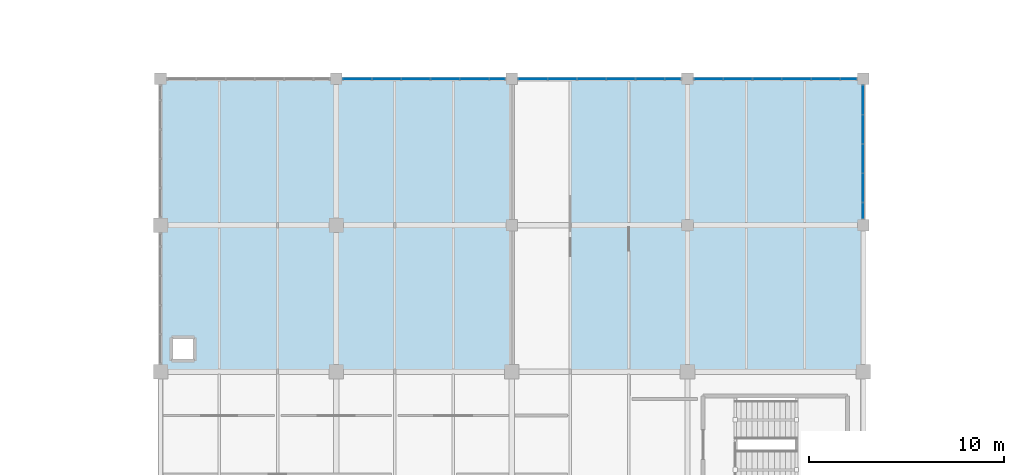
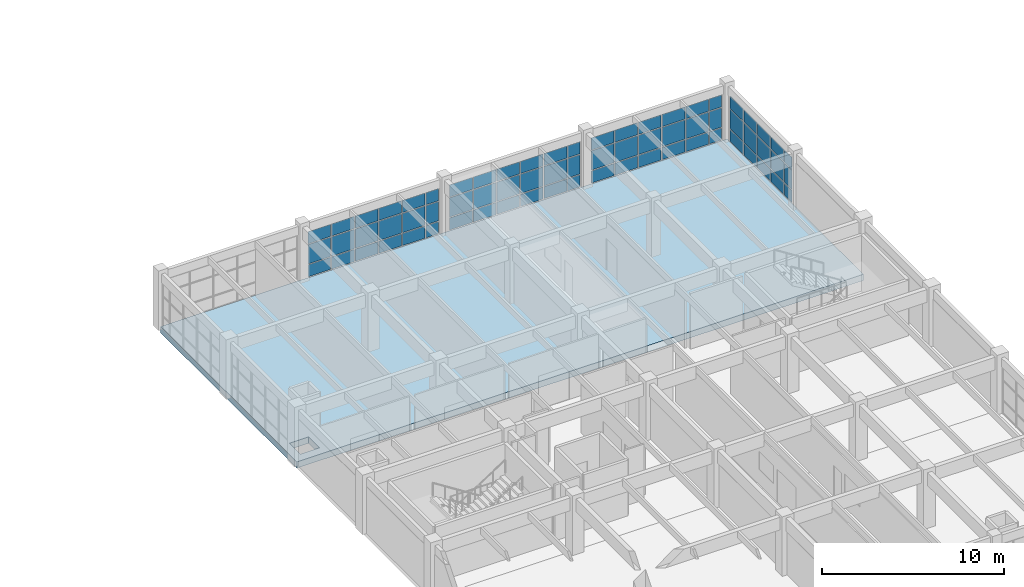
# One storey, part 56 of 76: 69 plates, 1 slab, 4 elements without a shape of their own.
"""IFC4 building model written with IfcOpenShell, lengths in metres."""

from ifc_helpers import new_model, si_unit, direction, frame, origin, origin_2d, place, context, subcontext, project, spatial, polyline, rectangle, outline, extrude, material, layer, layer_set, type_object, element, aggregate, save


model = new_model("IFC4")

# Units and contexts
model_context = context("Model", 3, precision=1e-05, world=origin(), true_north=direction((0.0, 1.0)))
body_context = subcontext(model_context, "Body", "Model", "MODEL_VIEW")
ifc_project = project(units=[si_unit("LENGTHUNIT", "METRE"), si_unit("AREAUNIT", "SQUARE_METRE"), si_unit("VOLUMEUNIT", "CUBIC_METRE"), si_unit("PLANEANGLEUNIT", "RADIAN"), si_unit("MASSUNIT", "GRAM", prefix="KILO")], contexts=[model_context])

# Site, building, storey
site_placement = place(None, origin())
site = spatial("IfcSite", under=ifc_project, at=site_placement, CompositionType="ELEMENT")
building_placement = place(site_placement, origin())
building = spatial("IfcBuilding", under=site, at=building_placement, Name="Marnridge Secondary College", CompositionType="ELEMENT")
storey_placement = place(building_placement, frame((0.0, 0.0, 4.5)))
storey = spatial("IfcBuildingStorey", under=building, at=storey_placement, Name="L01", CompositionType="ELEMENT", Elevation=4.5)

# Curtain wall, plates
ifc_material_1 = material(Name="Thermally broken aluminium and low-E glazing", Category="aluminium")
ifc_layer_1 = layer(ifc_material_1, 0.159912109375)
ifc_layer_set_1 = layer_set([ifc_layer_1], Name="CW-MOD-1500")
curtain_wall_type = type_object("IfcCurtainWallType", Name="CW-MOD-1500", PredefinedType="NOTDEFINED", material=ifc_layer_set_1)
curtain_wall_1_placement = place(storey_placement, origin())
curtain_wall_1 = element("IfcCurtainWall", 1, at=curtain_wall_1_placement, inside=storey, type_object=curtain_wall_type, Name="Unitised curtain wall CW-L01-029", PredefinedType="NOTDEFINED")
ifc_material_2 = material(Name="Double-glazed low-E argon unit", Category="glass")
ifc_layer_2 = layer(ifc_material_2, 0.028076171875)
ifc_layer_set_2 = layer_set([ifc_layer_2], Name="CWP-GLZ28")
plate_type = type_object("IfcPlateType", Name="CWP-GLZ28", PredefinedType="CURTAIN_PANEL", material=ifc_layer_set_2)
plate_1_placement = place(storey_placement, frame((64.083984375, 82.5, 0.06005859375), z_axis=(0.0, 0.0, 1.0), x_axis=(1.0, 0.0, 0.0)))
plate_1 = element("IfcPlate", 2, at=plate_1_placement, type_object=plate_type, Name="CW-L01-029 panel 1.1", PredefinedType="CURTAIN_PANEL", context=body_context, shape_type="SweptSolid", body=[
    extrude(rectangle(XDim=1.43994140625, YDim=0.028076171875, at=origin_2d()), origin(), (0.0, 0.0, 1.0), 0.81005859375),
])
plate_2_placement = place(storey_placement, frame((64.083984375, 82.5, 0.929931640625), z_axis=(0.0, 0.0, 1.0), x_axis=(1.0, 0.0, 0.0)))
plate_2 = element("IfcPlate", 3, at=plate_2_placement, type_object=plate_type, Name="CW-L01-029 panel 1.2", PredefinedType="CURTAIN_PANEL", context=body_context, shape_type="SweptSolid", body=[
    extrude(rectangle(XDim=1.43994140625, YDim=0.028076171875, at=origin_2d()), origin(), (0.0, 0.0, 1.0), 1.2900390625),
])
plate_3_placement = place(storey_placement, frame((64.083984375, 82.5, 2.2802734375), z_axis=(0.0, 0.0, 1.0), x_axis=(1.0, 0.0, 0.0)))
plate_3 = element("IfcPlate", 4, at=plate_3_placement, type_object=plate_type, Name="CW-L01-029 panel 1.3", PredefinedType="CURTAIN_PANEL", context=body_context, shape_type="SweptSolid", body=[
    extrude(rectangle(XDim=1.43994140625, YDim=0.028076171875, at=origin_2d()), origin(), (0.0, 0.0, 1.0), 0.806884765625),
])
plate_4_placement = place(storey_placement, frame((65.583984375, 82.5, 0.06005859375), z_axis=(0.0, 0.0, 1.0), x_axis=(1.0, 0.0, 0.0)))
plate_4 = element("IfcPlate", 5, at=plate_4_placement, type_object=plate_type, Name="CW-L01-029 panel 2.1", PredefinedType="CURTAIN_PANEL", context=body_context, shape_type="SweptSolid", body=[
    extrude(rectangle(XDim=1.43994140625, YDim=0.028076171875, at=origin_2d()), origin(), (0.0, 0.0, 1.0), 0.81005859375),
])
plate_5_placement = place(storey_placement, frame((65.583984375, 82.5, 0.929931640625), z_axis=(0.0, 0.0, 1.0), x_axis=(1.0, 0.0, 0.0)))
plate_5 = element("IfcPlate", 6, at=plate_5_placement, type_object=plate_type, Name="CW-L01-029 panel 2.2", PredefinedType="CURTAIN_PANEL", context=body_context, shape_type="SweptSolid", body=[
    extrude(rectangle(XDim=1.43994140625, YDim=0.028076171875, at=origin_2d()), origin(), (0.0, 0.0, 1.0), 1.2900390625),
])
plate_6_placement = place(storey_placement, frame((65.583984375, 82.5, 2.2802734375), z_axis=(0.0, 0.0, 1.0), x_axis=(1.0, 0.0, 0.0)))
plate_6 = element("IfcPlate", 7, at=plate_6_placement, type_object=plate_type, Name="CW-L01-029 panel 2.3", PredefinedType="CURTAIN_PANEL", context=body_context, shape_type="SweptSolid", body=[
    extrude(rectangle(XDim=1.43994140625, YDim=0.028076171875, at=origin_2d()), origin(), (0.0, 0.0, 1.0), 0.806884765625),
])
plate_7_placement = place(storey_placement, frame((67.083984375, 82.5, 0.06005859375), z_axis=(0.0, 0.0, 1.0), x_axis=(1.0, 0.0, 0.0)))
plate_7 = element("IfcPlate", 8, at=plate_7_placement, type_object=plate_type, Name="CW-L01-029 panel 3.1", PredefinedType="CURTAIN_PANEL", context=body_context, shape_type="SweptSolid", body=[
    extrude(rectangle(XDim=1.43994140625, YDim=0.028076171875, at=origin_2d()), origin(), (0.0, 0.0, 1.0), 0.81005859375),
])
plate_8_placement = place(storey_placement, frame((67.083984375, 82.5, 0.929931640625), z_axis=(0.0, 0.0, 1.0), x_axis=(1.0, 0.0, 0.0)))
plate_8 = element("IfcPlate", 9, at=plate_8_placement, type_object=plate_type, Name="CW-L01-029 panel 3.2", PredefinedType="CURTAIN_PANEL", context=body_context, shape_type="SweptSolid", body=[
    extrude(rectangle(XDim=1.43994140625, YDim=0.028076171875, at=origin_2d()), origin(), (0.0, 0.0, 1.0), 1.2900390625),
])
plate_9_placement = place(storey_placement, frame((67.083984375, 82.5, 2.2802734375), z_axis=(0.0, 0.0, 1.0), x_axis=(1.0, 0.0, 0.0)))
plate_9 = element("IfcPlate", 10, at=plate_9_placement, type_object=plate_type, Name="CW-L01-029 panel 3.3", PredefinedType="CURTAIN_PANEL", context=body_context, shape_type="SweptSolid", body=[
    extrude(rectangle(XDim=1.43994140625, YDim=0.028076171875, at=origin_2d()), origin(), (0.0, 0.0, 1.0), 0.806884765625),
])
plate_10_placement = place(storey_placement, frame((68.583984375, 82.5, 0.06005859375), z_axis=(0.0, 0.0, 1.0), x_axis=(1.0, 0.0, 0.0)))
plate_10 = element("IfcPlate", 11, at=plate_10_placement, type_object=plate_type, Name="CW-L01-029 panel 4.1", PredefinedType="CURTAIN_PANEL", context=body_context, shape_type="SweptSolid", body=[
    extrude(rectangle(XDim=1.43994140625, YDim=0.028076171875, at=origin_2d()), origin(), (0.0, 0.0, 1.0), 0.81005859375),
])
plate_11_placement = place(storey_placement, frame((68.583984375, 82.5, 0.929931640625), z_axis=(0.0, 0.0, 1.0), x_axis=(1.0, 0.0, 0.0)))
plate_11 = element("IfcPlate", 12, at=plate_11_placement, type_object=plate_type, Name="CW-L01-029 panel 4.2", PredefinedType="CURTAIN_PANEL", context=body_context, shape_type="SweptSolid", body=[
    extrude(rectangle(XDim=1.43994140625, YDim=0.028076171875, at=origin_2d()), origin(), (0.0, 0.0, 1.0), 1.2900390625),
])
plate_12_placement = place(storey_placement, frame((68.583984375, 82.5, 2.2802734375), z_axis=(0.0, 0.0, 1.0), x_axis=(1.0, 0.0, 0.0)))
plate_12 = element("IfcPlate", 13, at=plate_12_placement, type_object=plate_type, Name="CW-L01-029 panel 4.3", PredefinedType="CURTAIN_PANEL", context=body_context, shape_type="SweptSolid", body=[
    extrude(rectangle(XDim=1.43994140625, YDim=0.028076171875, at=origin_2d()), origin(), (0.0, 0.0, 1.0), 0.806884765625),
])
plate_13_placement = place(storey_placement, frame((70.083984375, 82.5, 0.06005859375), z_axis=(0.0, 0.0, 1.0), x_axis=(1.0, 0.0, 0.0)))
plate_13 = element("IfcPlate", 14, at=plate_13_placement, type_object=plate_type, Name="CW-L01-029 panel 5.1", PredefinedType="CURTAIN_PANEL", context=body_context, shape_type="SweptSolid", body=[
    extrude(rectangle(XDim=1.43994140625, YDim=0.028076171875, at=origin_2d()), origin(), (0.0, 0.0, 1.0), 0.81005859375),
])
plate_14_placement = place(storey_placement, frame((70.083984375, 82.5, 0.929931640625), z_axis=(0.0, 0.0, 1.0), x_axis=(1.0, 0.0, 0.0)))
plate_14 = element("IfcPlate", 15, at=plate_14_placement, type_object=plate_type, Name="CW-L01-029 panel 5.2", PredefinedType="CURTAIN_PANEL", context=body_context, shape_type="SweptSolid", body=[
    extrude(rectangle(XDim=1.43994140625, YDim=0.028076171875, at=origin_2d()), origin(), (0.0, 0.0, 1.0), 1.2900390625),
])
plate_15_placement = place(storey_placement, frame((70.083984375, 82.5, 2.2802734375), z_axis=(0.0, 0.0, 1.0), x_axis=(1.0, 0.0, 0.0)))
plate_15 = element("IfcPlate", 16, at=plate_15_placement, type_object=plate_type, Name="CW-L01-029 panel 5.3", PredefinedType="CURTAIN_PANEL", context=body_context, shape_type="SweptSolid", body=[
    extrude(rectangle(XDim=1.43994140625, YDim=0.028076171875, at=origin_2d()), origin(), (0.0, 0.0, 1.0), 0.806884765625),
])
plate_16_placement = place(storey_placement, frame((71.25, 82.5, 0.06005859375), z_axis=(0.0, 0.0, 1.0), x_axis=(1.0, 0.0, 0.0)))
plate_16 = element("IfcPlate", 17, at=plate_16_placement, type_object=plate_type, Name="CW-L01-029 panel 6.1", PredefinedType="CURTAIN_PANEL", context=body_context, shape_type="SweptSolid", body=[
    extrude(rectangle(XDim=0.77197265625, YDim=0.028076171875, at=origin_2d()), origin(), (0.0, 0.0, 1.0), 0.81005859375),
])
plate_17_placement = place(storey_placement, frame((71.25, 82.5, 0.929931640625), z_axis=(0.0, 0.0, 1.0), x_axis=(1.0, 0.0, 0.0)))
plate_17 = element("IfcPlate", 18, at=plate_17_placement, type_object=plate_type, Name="CW-L01-029 panel 6.2", PredefinedType="CURTAIN_PANEL", context=body_context, shape_type="SweptSolid", body=[
    extrude(rectangle(XDim=0.77197265625, YDim=0.028076171875, at=origin_2d()), origin(), (0.0, 0.0, 1.0), 1.2900390625),
])
plate_18_placement = place(storey_placement, frame((71.25, 82.5, 2.2802734375), z_axis=(0.0, 0.0, 1.0), x_axis=(1.0, 0.0, 0.0)))
plate_18 = element("IfcPlate", 19, at=plate_18_placement, type_object=plate_type, Name="CW-L01-029 panel 6.3", PredefinedType="CURTAIN_PANEL", context=body_context, shape_type="SweptSolid", body=[
    extrude(rectangle(XDim=0.77197265625, YDim=0.028076171875, at=origin_2d()), origin(), (0.0, 0.0, 1.0), 0.806884765625),
])
aggregate(curtain_wall_1, [plate_1, plate_2, plate_3, plate_4, plate_5, plate_6, plate_7, plate_8, plate_9, plate_10, plate_11, plate_12, plate_13, plate_14, plate_15, plate_16, plate_17, plate_18])

curtain_wall_2_placement = place(storey_placement, origin())
curtain_wall_2 = element("IfcCurtainWall", 20, at=curtain_wall_2_placement, inside=storey, type_object=curtain_wall_type, Name="Unitised curtain wall CW-L01-030", PredefinedType="NOTDEFINED")
plate_19_placement = place(storey_placement, frame((73.083984375, 82.5, 0.06005859375), z_axis=(0.0, 0.0, 1.0), x_axis=(1.0, 0.0, 0.0)))
plate_19 = element("IfcPlate", 21, at=plate_19_placement, type_object=plate_type, Name="CW-L01-030 panel 1.1", PredefinedType="CURTAIN_PANEL", context=body_context, shape_type="SweptSolid", body=[
    extrude(rectangle(XDim=1.43994140625, YDim=0.028076171875, at=origin_2d()), origin(), (0.0, 0.0, 1.0), 0.81005859375),
])
plate_20_placement = place(storey_placement, frame((73.083984375, 82.5, 0.929931640625), z_axis=(0.0, 0.0, 1.0), x_axis=(1.0, 0.0, 0.0)))
plate_20 = element("IfcPlate", 22, at=plate_20_placement, type_object=plate_type, Name="CW-L01-030 panel 1.2", PredefinedType="CURTAIN_PANEL", context=body_context, shape_type="SweptSolid", body=[
    extrude(rectangle(XDim=1.43994140625, YDim=0.028076171875, at=origin_2d()), origin(), (0.0, 0.0, 1.0), 1.2900390625),
])
plate_21_placement = place(storey_placement, frame((73.083984375, 82.5, 2.2802734375), z_axis=(0.0, 0.0, 1.0), x_axis=(1.0, 0.0, 0.0)))
plate_21 = element("IfcPlate", 23, at=plate_21_placement, type_object=plate_type, Name="CW-L01-030 panel 1.3", PredefinedType="CURTAIN_PANEL", context=body_context, shape_type="SweptSolid", body=[
    extrude(rectangle(XDim=1.43994140625, YDim=0.028076171875, at=origin_2d()), origin(), (0.0, 0.0, 1.0), 0.806884765625),
])
plate_22_placement = place(storey_placement, frame((74.583984375, 82.5, 0.06005859375), z_axis=(0.0, 0.0, 1.0), x_axis=(1.0, 0.0, 0.0)))
plate_22 = element("IfcPlate", 24, at=plate_22_placement, type_object=plate_type, Name="CW-L01-030 panel 2.1", PredefinedType="CURTAIN_PANEL", context=body_context, shape_type="SweptSolid", body=[
    extrude(rectangle(XDim=1.43994140625, YDim=0.028076171875, at=origin_2d()), origin(), (0.0, 0.0, 1.0), 0.81005859375),
])
plate_23_placement = place(storey_placement, frame((74.583984375, 82.5, 0.929931640625), z_axis=(0.0, 0.0, 1.0), x_axis=(1.0, 0.0, 0.0)))
plate_23 = element("IfcPlate", 25, at=plate_23_placement, type_object=plate_type, Name="CW-L01-030 panel 2.2", PredefinedType="CURTAIN_PANEL", context=body_context, shape_type="SweptSolid", body=[
    extrude(rectangle(XDim=1.43994140625, YDim=0.028076171875, at=origin_2d()), origin(), (0.0, 0.0, 1.0), 1.2900390625),
])
plate_24_placement = place(storey_placement, frame((74.583984375, 82.5, 2.2802734375), z_axis=(0.0, 0.0, 1.0), x_axis=(1.0, 0.0, 0.0)))
plate_24 = element("IfcPlate", 26, at=plate_24_placement, type_object=plate_type, Name="CW-L01-030 panel 2.3", PredefinedType="CURTAIN_PANEL", context=body_context, shape_type="SweptSolid", body=[
    extrude(rectangle(XDim=1.43994140625, YDim=0.028076171875, at=origin_2d()), origin(), (0.0, 0.0, 1.0), 0.806884765625),
])
plate_25_placement = place(storey_placement, frame((76.083984375, 82.5, 0.06005859375), z_axis=(0.0, 0.0, 1.0), x_axis=(1.0, 0.0, 0.0)))
plate_25 = element("IfcPlate", 27, at=plate_25_placement, type_object=plate_type, Name="CW-L01-030 panel 3.1", PredefinedType="CURTAIN_PANEL", context=body_context, shape_type="SweptSolid", body=[
    extrude(rectangle(XDim=1.43994140625, YDim=0.028076171875, at=origin_2d()), origin(), (0.0, 0.0, 1.0), 0.81005859375),
])
plate_26_placement = place(storey_placement, frame((76.083984375, 82.5, 0.929931640625), z_axis=(0.0, 0.0, 1.0), x_axis=(1.0, 0.0, 0.0)))
plate_26 = element("IfcPlate", 28, at=plate_26_placement, type_object=plate_type, Name="CW-L01-030 panel 3.2", PredefinedType="CURTAIN_PANEL", context=body_context, shape_type="SweptSolid", body=[
    extrude(rectangle(XDim=1.43994140625, YDim=0.028076171875, at=origin_2d()), origin(), (0.0, 0.0, 1.0), 1.2900390625),
])
plate_27_placement = place(storey_placement, frame((76.083984375, 82.5, 2.2802734375), z_axis=(0.0, 0.0, 1.0), x_axis=(1.0, 0.0, 0.0)))
plate_27 = element("IfcPlate", 29, at=plate_27_placement, type_object=plate_type, Name="CW-L01-030 panel 3.3", PredefinedType="CURTAIN_PANEL", context=body_context, shape_type="SweptSolid", body=[
    extrude(rectangle(XDim=1.43994140625, YDim=0.028076171875, at=origin_2d()), origin(), (0.0, 0.0, 1.0), 0.806884765625),
])
plate_28_placement = place(storey_placement, frame((77.583984375, 82.5, 0.06005859375), z_axis=(0.0, 0.0, 1.0), x_axis=(1.0, 0.0, 0.0)))
plate_28 = element("IfcPlate", 30, at=plate_28_placement, type_object=plate_type, Name="CW-L01-030 panel 4.1", PredefinedType="CURTAIN_PANEL", context=body_context, shape_type="SweptSolid", body=[
    extrude(rectangle(XDim=1.43994140625, YDim=0.028076171875, at=origin_2d()), origin(), (0.0, 0.0, 1.0), 0.81005859375),
])
plate_29_placement = place(storey_placement, frame((77.583984375, 82.5, 0.929931640625), z_axis=(0.0, 0.0, 1.0), x_axis=(1.0, 0.0, 0.0)))
plate_29 = element("IfcPlate", 31, at=plate_29_placement, type_object=plate_type, Name="CW-L01-030 panel 4.2", PredefinedType="CURTAIN_PANEL", context=body_context, shape_type="SweptSolid", body=[
    extrude(rectangle(XDim=1.43994140625, YDim=0.028076171875, at=origin_2d()), origin(), (0.0, 0.0, 1.0), 1.2900390625),
])
plate_30_placement = place(storey_placement, frame((77.583984375, 82.5, 2.2802734375), z_axis=(0.0, 0.0, 1.0), x_axis=(1.0, 0.0, 0.0)))
plate_30 = element("IfcPlate", 32, at=plate_30_placement, type_object=plate_type, Name="CW-L01-030 panel 4.3", PredefinedType="CURTAIN_PANEL", context=body_context, shape_type="SweptSolid", body=[
    extrude(rectangle(XDim=1.43994140625, YDim=0.028076171875, at=origin_2d()), origin(), (0.0, 0.0, 1.0), 0.806884765625),
])
plate_31_placement = place(storey_placement, frame((79.083984375, 82.5, 0.06005859375), z_axis=(0.0, 0.0, 1.0), x_axis=(1.0, 0.0, 0.0)))
plate_31 = element("IfcPlate", 33, at=plate_31_placement, type_object=plate_type, Name="CW-L01-030 panel 5.1", PredefinedType="CURTAIN_PANEL", context=body_context, shape_type="SweptSolid", body=[
    extrude(rectangle(XDim=1.43994140625, YDim=0.028076171875, at=origin_2d()), origin(), (0.0, 0.0, 1.0), 0.81005859375),
])
plate_32_placement = place(storey_placement, frame((79.083984375, 82.5, 0.929931640625), z_axis=(0.0, 0.0, 1.0), x_axis=(1.0, 0.0, 0.0)))
plate_32 = element("IfcPlate", 34, at=plate_32_placement, type_object=plate_type, Name="CW-L01-030 panel 5.2", PredefinedType="CURTAIN_PANEL", context=body_context, shape_type="SweptSolid", body=[
    extrude(rectangle(XDim=1.43994140625, YDim=0.028076171875, at=origin_2d()), origin(), (0.0, 0.0, 1.0), 1.2900390625),
])
plate_33_placement = place(storey_placement, frame((79.083984375, 82.5, 2.2802734375), z_axis=(0.0, 0.0, 1.0), x_axis=(1.0, 0.0, 0.0)))
plate_33 = element("IfcPlate", 35, at=plate_33_placement, type_object=plate_type, Name="CW-L01-030 panel 5.3", PredefinedType="CURTAIN_PANEL", context=body_context, shape_type="SweptSolid", body=[
    extrude(rectangle(XDim=1.43994140625, YDim=0.028076171875, at=origin_2d()), origin(), (0.0, 0.0, 1.0), 0.806884765625),
])
plate_34_placement = place(storey_placement, frame((80.25, 82.5, 0.06005859375), z_axis=(0.0, 0.0, 1.0), x_axis=(1.0, 0.0, 0.0)))
plate_34 = element("IfcPlate", 36, at=plate_34_placement, type_object=plate_type, Name="CW-L01-030 panel 6.1", PredefinedType="CURTAIN_PANEL", context=body_context, shape_type="SweptSolid", body=[
    extrude(rectangle(XDim=0.77197265625, YDim=0.028076171875, at=origin_2d()), origin(), (0.0, 0.0, 1.0), 0.81005859375),
])
plate_35_placement = place(storey_placement, frame((80.25, 82.5, 0.929931640625), z_axis=(0.0, 0.0, 1.0), x_axis=(1.0, 0.0, 0.0)))
plate_35 = element("IfcPlate", 37, at=plate_35_placement, type_object=plate_type, Name="CW-L01-030 panel 6.2", PredefinedType="CURTAIN_PANEL", context=body_context, shape_type="SweptSolid", body=[
    extrude(rectangle(XDim=0.77197265625, YDim=0.028076171875, at=origin_2d()), origin(), (0.0, 0.0, 1.0), 1.2900390625),
])
plate_36_placement = place(storey_placement, frame((80.25, 82.5, 2.2802734375), z_axis=(0.0, 0.0, 1.0), x_axis=(1.0, 0.0, 0.0)))
plate_36 = element("IfcPlate", 38, at=plate_36_placement, type_object=plate_type, Name="CW-L01-030 panel 6.3", PredefinedType="CURTAIN_PANEL", context=body_context, shape_type="SweptSolid", body=[
    extrude(rectangle(XDim=0.77197265625, YDim=0.028076171875, at=origin_2d()), origin(), (0.0, 0.0, 1.0), 0.806884765625),
])
aggregate(curtain_wall_2, [plate_19, plate_20, plate_21, plate_22, plate_23, plate_24, plate_25, plate_26, plate_27, plate_28, plate_29, plate_30, plate_31, plate_32, plate_33, plate_34, plate_35, plate_36])

curtain_wall_3_placement = place(storey_placement, origin())
curtain_wall_3 = element("IfcCurtainWall", 39, at=curtain_wall_3_placement, inside=storey, type_object=curtain_wall_type, Name="Unitised curtain wall CW-L01-031", PredefinedType="NOTDEFINED")
plate_37_placement = place(storey_placement, frame((82.083984375, 82.5, 0.06005859375), z_axis=(0.0, 0.0, 1.0), x_axis=(1.0, 0.0, 0.0)))
plate_37 = element("IfcPlate", 40, at=plate_37_placement, type_object=plate_type, Name="CW-L01-031 panel 1.1", PredefinedType="CURTAIN_PANEL", context=body_context, shape_type="SweptSolid", body=[
    extrude(rectangle(XDim=1.43994140625, YDim=0.028076171875, at=origin_2d()), origin(), (0.0, 0.0, 1.0), 0.81005859375),
])
plate_38_placement = place(storey_placement, frame((82.083984375, 82.5, 0.929931640625), z_axis=(0.0, 0.0, 1.0), x_axis=(1.0, 0.0, 0.0)))
plate_38 = element("IfcPlate", 41, at=plate_38_placement, type_object=plate_type, Name="CW-L01-031 panel 1.2", PredefinedType="CURTAIN_PANEL", context=body_context, shape_type="SweptSolid", body=[
    extrude(rectangle(XDim=1.43994140625, YDim=0.028076171875, at=origin_2d()), origin(), (0.0, 0.0, 1.0), 1.2900390625),
])
plate_39_placement = place(storey_placement, frame((82.083984375, 82.5, 2.2802734375), z_axis=(0.0, 0.0, 1.0), x_axis=(1.0, 0.0, 0.0)))
plate_39 = element("IfcPlate", 42, at=plate_39_placement, type_object=plate_type, Name="CW-L01-031 panel 1.3", PredefinedType="CURTAIN_PANEL", context=body_context, shape_type="SweptSolid", body=[
    extrude(rectangle(XDim=1.43994140625, YDim=0.028076171875, at=origin_2d()), origin(), (0.0, 0.0, 1.0), 0.806884765625),
])
plate_40_placement = place(storey_placement, frame((83.583984375, 82.5, 0.06005859375), z_axis=(0.0, 0.0, 1.0), x_axis=(1.0, 0.0, 0.0)))
plate_40 = element("IfcPlate", 43, at=plate_40_placement, type_object=plate_type, Name="CW-L01-031 panel 2.1", PredefinedType="CURTAIN_PANEL", context=body_context, shape_type="SweptSolid", body=[
    extrude(rectangle(XDim=1.43994140625, YDim=0.028076171875, at=origin_2d()), origin(), (0.0, 0.0, 1.0), 0.81005859375),
])
plate_41_placement = place(storey_placement, frame((83.583984375, 82.5, 0.929931640625), z_axis=(0.0, 0.0, 1.0), x_axis=(1.0, 0.0, 0.0)))
plate_41 = element("IfcPlate", 44, at=plate_41_placement, type_object=plate_type, Name="CW-L01-031 panel 2.2", PredefinedType="CURTAIN_PANEL", context=body_context, shape_type="SweptSolid", body=[
    extrude(rectangle(XDim=1.43994140625, YDim=0.028076171875, at=origin_2d()), origin(), (0.0, 0.0, 1.0), 1.2900390625),
])
plate_42_placement = place(storey_placement, frame((83.583984375, 82.5, 2.2802734375), z_axis=(0.0, 0.0, 1.0), x_axis=(1.0, 0.0, 0.0)))
plate_42 = element("IfcPlate", 45, at=plate_42_placement, type_object=plate_type, Name="CW-L01-031 panel 2.3", PredefinedType="CURTAIN_PANEL", context=body_context, shape_type="SweptSolid", body=[
    extrude(rectangle(XDim=1.43994140625, YDim=0.028076171875, at=origin_2d()), origin(), (0.0, 0.0, 1.0), 0.806884765625),
])
plate_43_placement = place(storey_placement, frame((85.083984375, 82.5, 0.06005859375), z_axis=(0.0, 0.0, 1.0), x_axis=(1.0, 0.0, 0.0)))
plate_43 = element("IfcPlate", 46, at=plate_43_placement, type_object=plate_type, Name="CW-L01-031 panel 3.1", PredefinedType="CURTAIN_PANEL", context=body_context, shape_type="SweptSolid", body=[
    extrude(rectangle(XDim=1.43994140625, YDim=0.028076171875, at=origin_2d()), origin(), (0.0, 0.0, 1.0), 0.81005859375),
])
plate_44_placement = place(storey_placement, frame((85.083984375, 82.5, 0.929931640625), z_axis=(0.0, 0.0, 1.0), x_axis=(1.0, 0.0, 0.0)))
plate_44 = element("IfcPlate", 47, at=plate_44_placement, type_object=plate_type, Name="CW-L01-031 panel 3.2", PredefinedType="CURTAIN_PANEL", context=body_context, shape_type="SweptSolid", body=[
    extrude(rectangle(XDim=1.43994140625, YDim=0.028076171875, at=origin_2d()), origin(), (0.0, 0.0, 1.0), 1.2900390625),
])
plate_45_placement = place(storey_placement, frame((85.083984375, 82.5, 2.2802734375), z_axis=(0.0, 0.0, 1.0), x_axis=(1.0, 0.0, 0.0)))
plate_45 = element("IfcPlate", 48, at=plate_45_placement, type_object=plate_type, Name="CW-L01-031 panel 3.3", PredefinedType="CURTAIN_PANEL", context=body_context, shape_type="SweptSolid", body=[
    extrude(rectangle(XDim=1.43994140625, YDim=0.028076171875, at=origin_2d()), origin(), (0.0, 0.0, 1.0), 0.806884765625),
])
plate_46_placement = place(storey_placement, frame((86.583984375, 82.5, 0.06005859375), z_axis=(0.0, 0.0, 1.0), x_axis=(1.0, 0.0, 0.0)))
plate_46 = element("IfcPlate", 49, at=plate_46_placement, type_object=plate_type, Name="CW-L01-031 panel 4.1", PredefinedType="CURTAIN_PANEL", context=body_context, shape_type="SweptSolid", body=[
    extrude(rectangle(XDim=1.43994140625, YDim=0.028076171875, at=origin_2d()), origin(), (0.0, 0.0, 1.0), 0.81005859375),
])
plate_47_placement = place(storey_placement, frame((86.583984375, 82.5, 0.929931640625), z_axis=(0.0, 0.0, 1.0), x_axis=(1.0, 0.0, 0.0)))
plate_47 = element("IfcPlate", 50, at=plate_47_placement, type_object=plate_type, Name="CW-L01-031 panel 4.2", PredefinedType="CURTAIN_PANEL", context=body_context, shape_type="SweptSolid", body=[
    extrude(rectangle(XDim=1.43994140625, YDim=0.028076171875, at=origin_2d()), origin(), (0.0, 0.0, 1.0), 1.2900390625),
])
plate_48_placement = place(storey_placement, frame((86.583984375, 82.5, 2.2802734375), z_axis=(0.0, 0.0, 1.0), x_axis=(1.0, 0.0, 0.0)))
plate_48 = element("IfcPlate", 51, at=plate_48_placement, type_object=plate_type, Name="CW-L01-031 panel 4.3", PredefinedType="CURTAIN_PANEL", context=body_context, shape_type="SweptSolid", body=[
    extrude(rectangle(XDim=1.43994140625, YDim=0.028076171875, at=origin_2d()), origin(), (0.0, 0.0, 1.0), 0.806884765625),
])
plate_49_placement = place(storey_placement, frame((88.083984375, 82.5, 0.06005859375), z_axis=(0.0, 0.0, 1.0), x_axis=(1.0, 0.0, 0.0)))
plate_49 = element("IfcPlate", 52, at=plate_49_placement, type_object=plate_type, Name="CW-L01-031 panel 5.1", PredefinedType="CURTAIN_PANEL", context=body_context, shape_type="SweptSolid", body=[
    extrude(rectangle(XDim=1.43994140625, YDim=0.028076171875, at=origin_2d()), origin(), (0.0, 0.0, 1.0), 0.81005859375),
])
plate_50_placement = place(storey_placement, frame((88.083984375, 82.5, 0.929931640625), z_axis=(0.0, 0.0, 1.0), x_axis=(1.0, 0.0, 0.0)))
plate_50 = element("IfcPlate", 53, at=plate_50_placement, type_object=plate_type, Name="CW-L01-031 panel 5.2", PredefinedType="CURTAIN_PANEL", context=body_context, shape_type="SweptSolid", body=[
    extrude(rectangle(XDim=1.43994140625, YDim=0.028076171875, at=origin_2d()), origin(), (0.0, 0.0, 1.0), 1.2900390625),
])
plate_51_placement = place(storey_placement, frame((88.083984375, 82.5, 2.2802734375), z_axis=(0.0, 0.0, 1.0), x_axis=(1.0, 0.0, 0.0)))
plate_51 = element("IfcPlate", 54, at=plate_51_placement, type_object=plate_type, Name="CW-L01-031 panel 5.3", PredefinedType="CURTAIN_PANEL", context=body_context, shape_type="SweptSolid", body=[
    extrude(rectangle(XDim=1.43994140625, YDim=0.028076171875, at=origin_2d()), origin(), (0.0, 0.0, 1.0), 0.806884765625),
])
plate_52_placement = place(storey_placement, frame((89.25, 82.5, 0.06005859375), z_axis=(0.0, 0.0, 1.0), x_axis=(1.0, 0.0, 0.0)))
plate_52 = element("IfcPlate", 55, at=plate_52_placement, type_object=plate_type, Name="CW-L01-031 panel 6.1", PredefinedType="CURTAIN_PANEL", context=body_context, shape_type="SweptSolid", body=[
    extrude(rectangle(XDim=0.77197265625, YDim=0.028076171875, at=origin_2d()), origin(), (0.0, 0.0, 1.0), 0.81005859375),
])
plate_53_placement = place(storey_placement, frame((89.25, 82.5, 0.929931640625), z_axis=(0.0, 0.0, 1.0), x_axis=(1.0, 0.0, 0.0)))
plate_53 = element("IfcPlate", 56, at=plate_53_placement, type_object=plate_type, Name="CW-L01-031 panel 6.2", PredefinedType="CURTAIN_PANEL", context=body_context, shape_type="SweptSolid", body=[
    extrude(rectangle(XDim=0.77197265625, YDim=0.028076171875, at=origin_2d()), origin(), (0.0, 0.0, 1.0), 1.2900390625),
])
plate_54_placement = place(storey_placement, frame((89.25, 82.5, 2.2802734375), z_axis=(0.0, 0.0, 1.0), x_axis=(1.0, 0.0, 0.0)))
plate_54 = element("IfcPlate", 57, at=plate_54_placement, type_object=plate_type, Name="CW-L01-031 panel 6.3", PredefinedType="CURTAIN_PANEL", context=body_context, shape_type="SweptSolid", body=[
    extrude(rectangle(XDim=0.77197265625, YDim=0.028076171875, at=origin_2d()), origin(), (0.0, 0.0, 1.0), 0.806884765625),
])
aggregate(curtain_wall_3, [plate_37, plate_38, plate_39, plate_40, plate_41, plate_42, plate_43, plate_44, plate_45, plate_46, plate_47, plate_48, plate_49, plate_50, plate_51, plate_52, plate_53, plate_54])

curtain_wall_4_placement = place(storey_placement, origin())
curtain_wall_4 = element("IfcCurtainWall", 58, at=curtain_wall_4_placement, inside=storey, type_object=curtain_wall_type, Name="Unitised curtain wall CW-L01-032", PredefinedType="NOTDEFINED")
plate_55_placement = place(storey_placement, frame((90.0, 81.416015625, 0.06005859375), z_axis=(0.0, 0.0, 1.0), x_axis=(0.0, -1.0, 0.0)))
plate_55 = element("IfcPlate", 59, at=plate_55_placement, type_object=plate_type, Name="CW-L01-032 panel 1.1", PredefinedType="CURTAIN_PANEL", context=body_context, shape_type="SweptSolid", body=[
    extrude(rectangle(XDim=1.43994140625, YDim=0.028076171875, at=origin_2d()), origin(), (0.0, 0.0, 1.0), 0.81005859375),
])
plate_56_placement = place(storey_placement, frame((90.0, 81.416015625, 0.929931640625), z_axis=(0.0, 0.0, 1.0), x_axis=(0.0, -1.0, 0.0)))
plate_56 = element("IfcPlate", 60, at=plate_56_placement, type_object=plate_type, Name="CW-L01-032 panel 1.2", PredefinedType="CURTAIN_PANEL", context=body_context, shape_type="SweptSolid", body=[
    extrude(rectangle(XDim=1.43994140625, YDim=0.028076171875, at=origin_2d()), origin(), (0.0, 0.0, 1.0), 1.2900390625),
])
plate_57_placement = place(storey_placement, frame((90.0, 81.416015625, 2.2802734375), z_axis=(0.0, 0.0, 1.0), x_axis=(0.0, -1.0, 0.0)))
plate_57 = element("IfcPlate", 61, at=plate_57_placement, type_object=plate_type, Name="CW-L01-032 panel 1.3", PredefinedType="CURTAIN_PANEL", context=body_context, shape_type="SweptSolid", body=[
    extrude(rectangle(XDim=1.43994140625, YDim=0.028076171875, at=origin_2d()), origin(), (0.0, 0.0, 1.0), 0.806884765625),
])
plate_58_placement = place(storey_placement, frame((90.0, 79.916015625, 0.06005859375), z_axis=(0.0, 0.0, 1.0), x_axis=(0.0, -1.0, 0.0)))
plate_58 = element("IfcPlate", 62, at=plate_58_placement, type_object=plate_type, Name="CW-L01-032 panel 2.1", PredefinedType="CURTAIN_PANEL", context=body_context, shape_type="SweptSolid", body=[
    extrude(rectangle(XDim=1.43994140625, YDim=0.028076171875, at=origin_2d()), origin(), (0.0, 0.0, 1.0), 0.81005859375),
])
plate_59_placement = place(storey_placement, frame((90.0, 79.916015625, 0.929931640625), z_axis=(0.0, 0.0, 1.0), x_axis=(0.0, -1.0, 0.0)))
plate_59 = element("IfcPlate", 63, at=plate_59_placement, type_object=plate_type, Name="CW-L01-032 panel 2.2", PredefinedType="CURTAIN_PANEL", context=body_context, shape_type="SweptSolid", body=[
    extrude(rectangle(XDim=1.43994140625, YDim=0.028076171875, at=origin_2d()), origin(), (0.0, 0.0, 1.0), 1.2900390625),
])
plate_60_placement = place(storey_placement, frame((90.0, 79.916015625, 2.2802734375), z_axis=(0.0, 0.0, 1.0), x_axis=(0.0, -1.0, 0.0)))
plate_60 = element("IfcPlate", 64, at=plate_60_placement, type_object=plate_type, Name="CW-L01-032 panel 2.3", PredefinedType="CURTAIN_PANEL", context=body_context, shape_type="SweptSolid", body=[
    extrude(rectangle(XDim=1.43994140625, YDim=0.028076171875, at=origin_2d()), origin(), (0.0, 0.0, 1.0), 0.806884765625),
])
plate_61_placement = place(storey_placement, frame((90.0, 78.416015625, 0.06005859375), z_axis=(0.0, 0.0, 1.0), x_axis=(0.0, -1.0, 0.0)))
plate_61 = element("IfcPlate", 65, at=plate_61_placement, type_object=plate_type, Name="CW-L01-032 panel 3.1", PredefinedType="CURTAIN_PANEL", context=body_context, shape_type="SweptSolid", body=[
    extrude(rectangle(XDim=1.43994140625, YDim=0.028076171875, at=origin_2d()), origin(), (0.0, 0.0, 1.0), 0.81005859375),
])
plate_62_placement = place(storey_placement, frame((90.0, 78.416015625, 0.929931640625), z_axis=(0.0, 0.0, 1.0), x_axis=(0.0, -1.0, 0.0)))
plate_62 = element("IfcPlate", 66, at=plate_62_placement, type_object=plate_type, Name="CW-L01-032 panel 3.2", PredefinedType="CURTAIN_PANEL", context=body_context, shape_type="SweptSolid", body=[
    extrude(rectangle(XDim=1.43994140625, YDim=0.028076171875, at=origin_2d()), origin(), (0.0, 0.0, 1.0), 1.2900390625),
])
plate_63_placement = place(storey_placement, frame((90.0, 78.416015625, 2.2802734375), z_axis=(0.0, 0.0, 1.0), x_axis=(0.0, -1.0, 0.0)))
plate_63 = element("IfcPlate", 67, at=plate_63_placement, type_object=plate_type, Name="CW-L01-032 panel 3.3", PredefinedType="CURTAIN_PANEL", context=body_context, shape_type="SweptSolid", body=[
    extrude(rectangle(XDim=1.43994140625, YDim=0.028076171875, at=origin_2d()), origin(), (0.0, 0.0, 1.0), 0.806884765625),
])
plate_64_placement = place(storey_placement, frame((90.0, 76.916015625, 0.06005859375), z_axis=(0.0, 0.0, 1.0), x_axis=(0.0, -1.0, 0.0)))
plate_64 = element("IfcPlate", 68, at=plate_64_placement, type_object=plate_type, Name="CW-L01-032 panel 4.1", PredefinedType="CURTAIN_PANEL", context=body_context, shape_type="SweptSolid", body=[
    extrude(rectangle(XDim=1.43994140625, YDim=0.028076171875, at=origin_2d()), origin(), (0.0, 0.0, 1.0), 0.81005859375),
])
plate_65_placement = place(storey_placement, frame((90.0, 76.916015625, 0.929931640625), z_axis=(0.0, 0.0, 1.0), x_axis=(0.0, -1.0, 0.0)))
plate_65 = element("IfcPlate", 69, at=plate_65_placement, type_object=plate_type, Name="CW-L01-032 panel 4.2", PredefinedType="CURTAIN_PANEL", context=body_context, shape_type="SweptSolid", body=[
    extrude(rectangle(XDim=1.43994140625, YDim=0.028076171875, at=origin_2d()), origin(), (0.0, 0.0, 1.0), 1.2900390625),
])
plate_66_placement = place(storey_placement, frame((90.0, 76.916015625, 2.2802734375), z_axis=(0.0, 0.0, 1.0), x_axis=(0.0, -1.0, 0.0)))
plate_66 = element("IfcPlate", 70, at=plate_66_placement, type_object=plate_type, Name="CW-L01-032 panel 4.3", PredefinedType="CURTAIN_PANEL", context=body_context, shape_type="SweptSolid", body=[
    extrude(rectangle(XDim=1.43994140625, YDim=0.028076171875, at=origin_2d()), origin(), (0.0, 0.0, 1.0), 0.806884765625),
])
plate_67_placement = place(storey_placement, frame((90.0, 75.75, 0.06005859375), z_axis=(0.0, 0.0, 1.0), x_axis=(0.0, -1.0, 0.0)))
plate_67 = element("IfcPlate", 71, at=plate_67_placement, type_object=plate_type, Name="CW-L01-032 panel 5.1", PredefinedType="CURTAIN_PANEL", context=body_context, shape_type="SweptSolid", body=[
    extrude(rectangle(XDim=0.77197265625, YDim=0.028076171875, at=origin_2d()), origin(), (0.0, 0.0, 1.0), 0.81005859375),
])
plate_68_placement = place(storey_placement, frame((90.0, 75.75, 0.929931640625), z_axis=(0.0, 0.0, 1.0), x_axis=(0.0, -1.0, 0.0)))
plate_68 = element("IfcPlate", 72, at=plate_68_placement, type_object=plate_type, Name="CW-L01-032 panel 5.2", PredefinedType="CURTAIN_PANEL", context=body_context, shape_type="SweptSolid", body=[
    extrude(rectangle(XDim=0.77197265625, YDim=0.028076171875, at=origin_2d()), origin(), (0.0, 0.0, 1.0), 1.2900390625),
])
plate_69_placement = place(storey_placement, frame((90.0, 75.75, 2.2802734375), z_axis=(0.0, 0.0, 1.0), x_axis=(0.0, -1.0, 0.0)))
plate_69 = element("IfcPlate", 73, at=plate_69_placement, type_object=plate_type, Name="CW-L01-032 panel 5.3", PredefinedType="CURTAIN_PANEL", context=body_context, shape_type="SweptSolid", body=[
    extrude(rectangle(XDim=0.77197265625, YDim=0.028076171875, at=origin_2d()), origin(), (0.0, 0.0, 1.0), 0.806884765625),
])
aggregate(curtain_wall_4, [plate_55, plate_56, plate_57, plate_58, plate_59, plate_60, plate_61, plate_62, plate_63, plate_64, plate_65, plate_66, plate_67, plate_68, plate_69])

# Slab
ifc_material_3 = material(Name="Concrete C50/60 (AS 3600 N50, 50 MPa)", Category="concrete")
ifc_layer_3 = layer(ifc_material_3, 0.419921875)
ifc_layer_set_3 = layer_set([ifc_layer_3], Name="SL-TRANS-420")
slab_type = type_object("IfcSlabType", Name="SL-TRANS-420", PredefinedType="FLOOR", material=ifc_layer_set_3)
slab_placement = place(storey_placement, frame((0.0, 0.0, -0.419921875)))
element("IfcSlab", 74, at=slab_placement, inside=storey, type_object=slab_type, Name="Floor slab SL-L01-013", PredefinedType="FLOOR", context=body_context, shape_type="SweptSolid", body=[
    extrude(outline(polyline([(90.0, 67.5), (54.0, 67.5), (54.0, 82.5), (90.0, 82.5), (90.0, 67.5)]), holes=[polyline([(54.550048828125, 68.050048828125), (55.75, 68.050048828125), (55.75, 69.25), (54.550048828125, 69.25), (54.550048828125, 68.050048828125)])]), origin(), (0.0, 0.0, 1.0), 0.419921875),
])

save(model, "model.ifc")
